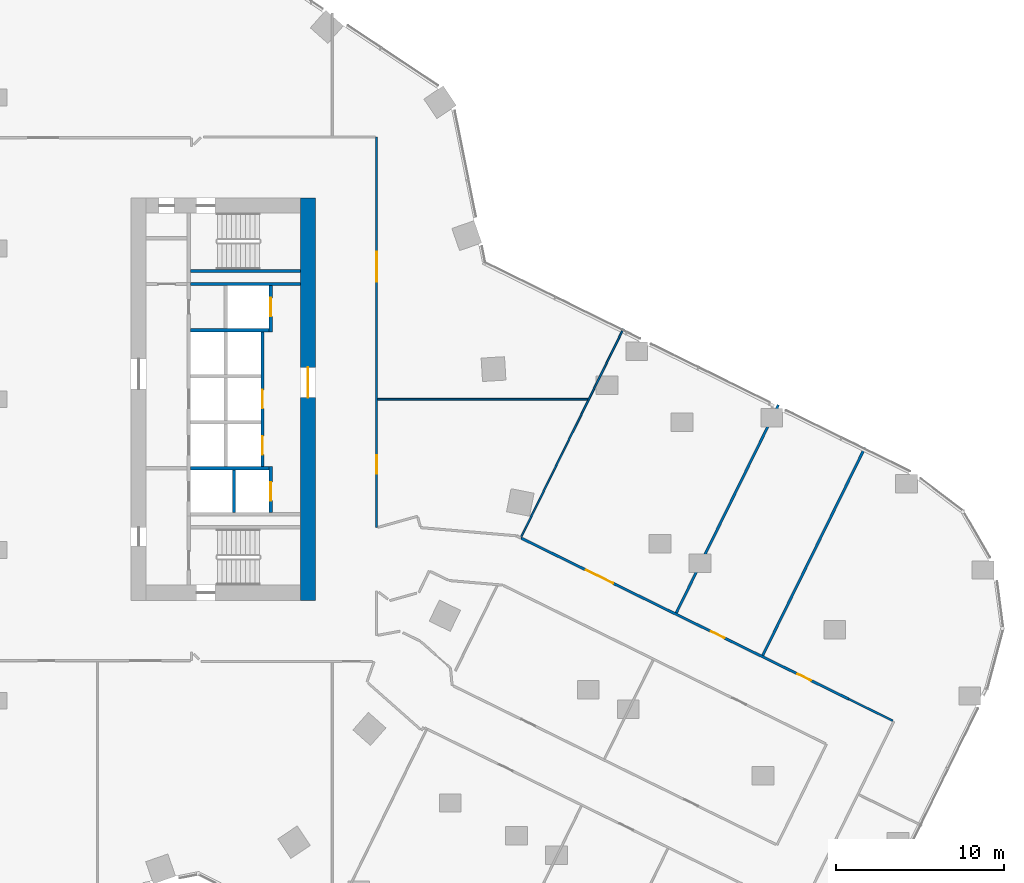
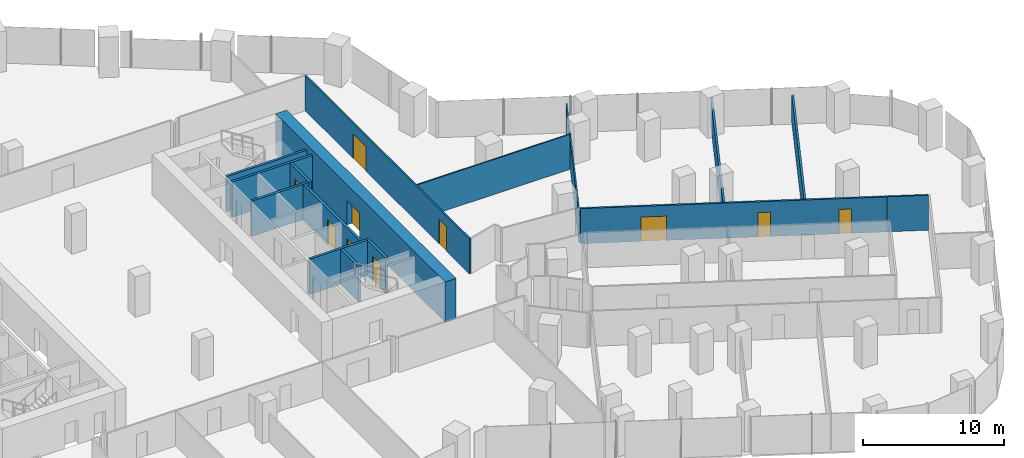
# One storey, part 31 of 38: 16 walls, 10 doors, 10 openings.
"""IFC4 building model written with IfcOpenShell, lengths in metres."""

from ifc_helpers import new_model, si_unit, direction, frame, frame_2d, origin, place, context, subcontext, project, spatial, rectangle, extrude, material, layer, layer_set, type_object, element, fill, save


model = new_model("IFC4")

# Units and contexts
model_context = context("Model", 3, precision=1e-05, world=origin(), true_north=direction((0.0, 1.0)))
body_context = subcontext(model_context, "Body", "Model", "MODEL_VIEW")
ifc_project = project(units=[si_unit("LENGTHUNIT", "METRE"), si_unit("AREAUNIT", "SQUARE_METRE"), si_unit("VOLUMEUNIT", "CUBIC_METRE"), si_unit("PLANEANGLEUNIT", "RADIAN"), si_unit("MASSUNIT", "GRAM", prefix="KILO")], contexts=[model_context])

# Site, building, storey
site_placement = place(None, origin())
site = spatial("IfcSite", under=ifc_project, at=site_placement, CompositionType="ELEMENT")
building_placement = place(site_placement, origin())
building = spatial("IfcBuilding", under=site, at=building_placement, Name="Orlundy Tower", CompositionType="ELEMENT")
storey_placement = place(building_placement, frame((0.0, 0.0, 72.800048828125)))
storey = spatial("IfcBuildingStorey", under=building, at=storey_placement, Name="L17", CompositionType="ELEMENT", Elevation=72.800048828125)

# Wall, opening, door
ifc_material_1 = material(Name="Concrete C80/95", Category="concrete")
ifc_layer_1 = layer(ifc_material_1, 0.89990234375)
ifc_layer_set_1 = layer_set([ifc_layer_1], Name="CORE WALL 900 C80/95")
wall_type_1 = type_object("IfcWallType", Name="CORE WALL 900 C80/95", PredefinedType="SHEAR", material=ifc_layer_set_1)
wall_1_placement = place(storey_placement, frame((18.550048828125, -12.0, 0.0), z_axis=(0.0, 0.0, 1.0), x_axis=(0.0, 1.0, 0.0)))
wall_1 = element("IfcWall", 1, at=wall_1_placement, inside=storey, type_object=wall_type_1, Name="Core wall E-E L17", PredefinedType="SHEAR", context=body_context, shape_type="SweptSolid", body=[
    extrude(rectangle(XDim=24.0, YDim=0.89990234375, at=frame_2d((12.0, 0.0))), origin(), (0.0, 0.0, 1.0), 3.5),
])
opening_1_placement = place(wall_1_placement, frame((12.10009765625, 0.0, 0.0)))
opening_1 = element("IfcOpeningElement", 2, at=opening_1_placement, cuts=wall_1, Name="Opening 14059", PredefinedType="OPENING", context=body_context, shape_type="SweptSolid", body=[
    extrude(rectangle(XDim=1.800048828125, YDim=2.10009765625, at=frame_2d((0.89990234375, 1.050048828125))), frame((0.0, 0.4599609375, 0.0), z_axis=(0.0, -1.0, 0.0), x_axis=(1.0, 0.0, 0.0)), (0.0, 0.0, 1.0), 0.919921875),
])
ifc_material_2 = material(Name="Timber door set", Category="wood")
door_type_1 = type_object("IfcDoorType", Name="Lobby Door 1800x2100", OperationType="DOUBLE_DOOR_DOUBLE_SWING", PredefinedType="DOOR", material=ifc_material_2)
door_1_placement = place(opening_1_placement, origin())
door_1 = element("IfcDoor", 3, at=door_1_placement, inside=storey, type_object=door_type_1, Name="Lift lobby door 14059", OperationType="SINGLE_SWING_RIGHT", OverallHeight=2.10009765625, OverallWidth=1.800048828125, PredefinedType="DOOR", context=body_context, shape_type="SweptSolid", body=[
    extrude(rectangle(XDim=1.800048828125, YDim=2.10009765625, at=frame_2d((0.89990234375, 1.050048828125))), frame((0.0, 0.02490234375, 0.0), z_axis=(0.0, -1.0, 0.0), x_axis=(1.0, 0.0, 0.0)), (0.0, 0.0, 1.0), 0.050048828125),
])
fill(opening_1, door_1)

# Walls
ifc_material_3 = material(Name="Gypsum board partition")
ifc_layer_2 = layer(ifc_material_3, 0.10009765625)
ifc_layer_set_2 = layer_set([ifc_layer_2], Name="Floor partition 100")
wall_type_2 = type_object("IfcWallType", Name="Floor partition 100", PredefinedType="PARTITIONING", material=ifc_layer_set_2)
wall_2_placement = place(storey_placement, frame((22.712890625, 0.0, 0.0), z_axis=(0.0, 0.0, 1.0), x_axis=(1.0, 0.0, 0.0)))
element("IfcWall", 4, at=wall_2_placement, inside=storey, type_object=wall_type_2, Name="wall-int-L17-051", PredefinedType="PARTITIONING", context=body_context, shape_type="SweptSolid", body=[
    extrude(rectangle(XDim=12.51904296875, YDim=0.10009765625, at=frame_2d((6.259521484375, 0.0))), origin(), (0.0, 0.0, 1.0), 3.030029296875),
])
ifc_material_4 = material(Name="Gypsum board partition")
ifc_layer_3 = layer(ifc_material_4, 0.10009765625)
ifc_layer_set_3 = layer_set([ifc_layer_3], Name="Floor partition 100 B")
wall_type_3 = type_object("IfcWallType", Name="Floor partition 100 B", PredefinedType="PARTITIONING", material=ifc_layer_set_3)
wall_3_placement = place(storey_placement, frame((31.24609375, -8.27587890625, 0.0), z_axis=(0.0, 0.0, 1.0), x_axis=(0.440984317846, 0.897514808465, 0.0)))
element("IfcWall", 5, at=wall_3_placement, inside=storey, type_object=wall_type_3, Name="wall-int-L17-079", PredefinedType="PARTITIONING", context=body_context, shape_type="SweptSolid", body=[
    extrude(rectangle(XDim=13.898193359375, YDim=0.10009765625, at=frame_2d((6.94921875, 0.0))), origin(), (0.0, 0.0, 1.0), 2.4189453125),
])
ifc_material_5 = material(Name="Gypsum board partition, double layer")
ifc_layer_4 = layer(ifc_material_5, 0.125)
ifc_layer_set_4 = layer_set([ifc_layer_4], Name="Floor partition 125")
wall_type_4 = type_object("IfcWallType", Name="Floor partition 125", PredefinedType="PARTITIONING", material=ifc_layer_set_4)
wall_4_placement = place(storey_placement, frame((53.4541015625, -19.18798828125, 0.0), z_axis=(0.0, 0.0, 1.0), x_axis=(-0.8975474006, 0.4409179784, 0.0)))
element("IfcWall", 6, at=wall_4_placement, inside=storey, type_object=wall_type_4, Name="wall-int-L17-033", PredefinedType="PARTITIONING", context=body_context, shape_type="SweptSolid", body=[
    extrude(rectangle(XDim=2.936767578125, YDim=0.125, at=frame_2d((1.46826171875, 0.0))), origin(), (0.0, 0.0, 1.0), 3.030029296875),
])

# Wall, openings, doors
wall_5_placement = place(storey_placement, frame((22.65087890625, 15.64990234375, 0.0), z_axis=(0.0, 0.0, 1.0), x_axis=(0.0, -1.0, 0.0)))
wall_5 = element("IfcWall", 7, at=wall_5_placement, inside=storey, type_object=wall_type_4, Name="wall-int-L17-092", PredefinedType="PARTITIONING", context=body_context, shape_type="SweptSolid", body=[
    extrude(rectangle(XDim=23.31884765625, YDim=0.125, at=frame_2d((11.659423828125, 0.0))), origin(), (0.0, 0.0, 1.0), 3.030029296875),
])
opening_2_placement = place(wall_5_placement, frame((19.0, 0.0, 0.0)))
opening_2 = element("IfcOpeningElement", 8, at=opening_2_placement, cuts=wall_5, Name="Opening 14131", PredefinedType="OPENING", context=body_context, shape_type="SweptSolid", body=[
    extrude(rectangle(XDim=1.10009765625, YDim=2.10009765625, at=frame_2d((0.550048828125, 1.050048828125))), frame((0.0, 0.072509765625, 0.0), z_axis=(0.0, -1.0, 0.0), x_axis=(1.0, 0.0, 0.0)), (0.0, 0.0, 1.0), 0.14501953125),
])
opening_3_placement = place(wall_5_placement, frame((6.85009765625, 0.0, 0.0)))
opening_3 = element("IfcOpeningElement", 9, at=opening_3_placement, cuts=wall_5, Name="Opening 14132", PredefinedType="OPENING", context=body_context, shape_type="SweptSolid", body=[
    extrude(rectangle(XDim=1.800048828125, YDim=2.10009765625, at=frame_2d((0.89990234375, 1.050048828125))), frame((0.0, 0.072509765625, 0.0), z_axis=(0.0, -1.0, 0.0), x_axis=(1.0, 0.0, 0.0)), (0.0, 0.0, 1.0), 0.14501953125),
])
ifc_material_6 = material(Name="Timber door leaf", Category="wood")
door_type_2 = type_object("IfcDoorType", Name="Floor door double 1800 FD30S", OperationType="NOTDEFINED", PredefinedType="DOOR", material=ifc_material_6)
door_2_placement = place(opening_3_placement, origin())
door_2 = element("IfcDoor", 10, at=door_2_placement, inside=storey, type_object=door_type_2, Name="Door 14132", OperationType="DOUBLE_DOOR_SINGLE_SWING", OverallHeight=2.10009765625, OverallWidth=1.800048828125, PredefinedType="DOOR", context=body_context, shape_type="SweptSolid", body=[
    extrude(rectangle(XDim=1.800048828125, YDim=2.10009765625, at=frame_2d((0.89990234375, 1.050048828125))), frame((0.0, 0.02490234375, 0.0), z_axis=(0.0, -1.0, 0.0), x_axis=(1.0, 0.0, 0.0)), (0.0, 0.0, 1.0), 0.050048828125),
])
fill(opening_3, door_2)
ifc_material_7 = material(Name="Timber door leaf", Category="wood")
door_type_3 = type_object("IfcDoorType", Name="Floor door xwide 1100 FD30S", OperationType="NOTDEFINED", PredefinedType="DOOR", material=ifc_material_7)
door_3_placement = place(opening_2_placement, origin())
door_3 = element("IfcDoor", 11, at=door_3_placement, inside=storey, type_object=door_type_3, Name="Door 14131", OperationType="SINGLE_SWING_RIGHT", OverallHeight=2.10009765625, OverallWidth=1.10009765625, PredefinedType="DOOR", context=body_context, shape_type="SweptSolid", body=[
    extrude(rectangle(XDim=1.10009765625, YDim=2.10009765625, at=frame_2d((0.550048828125, 1.050048828125))), frame((0.0, 0.02490234375, 0.0), z_axis=(0.0, -1.0, 0.0), x_axis=(1.0, 0.0, 0.0)), (0.0, 0.0, 1.0), 0.050048828125),
])
fill(opening_2, door_3)

# Walls
ifc_material_8 = material(Name="Blockwork shaft wall", Category="masonry")
ifc_layer_5 = layer(ifc_material_8, 0.14990234375)
ifc_layer_set_5 = layer_set([ifc_layer_5], Name="Floor shaft wall 150")
wall_type_5 = type_object("IfcWallType", Name="Floor shaft wall 150", PredefinedType="PARTITIONING", material=ifc_layer_set_5)
wall_6_placement = place(storey_placement, frame((45.68994140625, -15.2900390625, 0.0), z_axis=(0.0, 0.0, 1.0), x_axis=(0.441022179243, 0.89749620468, 0.0)))
element("IfcWall", 12, at=wall_6_placement, inside=storey, type_object=wall_type_5, Name="wall-int-L17-073", PredefinedType="PARTITIONING", context=body_context, shape_type="SweptSolid", body=[
    extrude(rectangle(XDim=13.8251953125, YDim=0.14990234375, at=frame_2d((6.91259765625, 0.0))), origin(), (0.0, 0.0, 1.0), 2.39501953125),
])
wall_7_placement = place(storey_placement, frame((40.529052734375, -12.75390625, 0.0), z_axis=(0.0, 0.0, 1.0), x_axis=(0.441035914892, 0.897489454966, 0.0)))
element("IfcWall", 13, at=wall_7_placement, inside=storey, type_object=wall_type_5, Name="wall-int-L17-076", PredefinedType="PARTITIONING", context=body_context, shape_type="SweptSolid", body=[
    extrude(rectangle(XDim=13.82421875, YDim=0.14990234375, at=frame_2d((6.912109375, 0.0))), origin(), (0.0, 0.0, 1.0), 2.39501953125),
])

# Wall, openings, doors
ifc_material_9 = material(Name="Blockwork shaft wall", Category="masonry")
ifc_layer_6 = layer(ifc_material_9, 0.14990234375)
ifc_layer_set_6 = layer_set([ifc_layer_6], Name="Floor shaft wall 150 B")
wall_type_6 = type_object("IfcWallType", Name="Floor shaft wall 150 B", PredefinedType="PARTITIONING", material=ifc_layer_set_6)
wall_8_placement = place(storey_placement, frame((31.291015625, -8.298095703125, 0.0), z_axis=(0.0, 0.0, 1.0), x_axis=(0.897505006542, -0.441004266683, 0.0)))
wall_8 = element("IfcWall", 14, at=wall_8_placement, inside=storey, type_object=wall_type_6, Name="wall-int-L17-032", PredefinedType="PARTITIONING", context=body_context, shape_type="SweptSolid", body=[
    extrude(rectangle(XDim=21.757080078125, YDim=0.14990234375, at=frame_2d((10.87841796875, 0.0))), origin(), (0.0, 0.0, 1.0), 3.030029296875),
])
opening_4_placement = place(wall_8_placement, frame((4.300048828125, 0.0, 0.0)))
opening_4 = element("IfcOpeningElement", 15, at=opening_4_placement, cuts=wall_8, Name="Opening 14100", PredefinedType="OPENING", context=body_context, shape_type="SweptSolid", body=[
    extrude(rectangle(XDim=1.800048828125, YDim=2.10009765625, at=frame_2d((0.89990234375, 1.050048828125))), frame((0.0, 0.0849609375, 0.0), z_axis=(0.0, -1.0, 0.0), x_axis=(1.0, 0.0, 0.0)), (0.0, 0.0, 1.0), 0.169921875),
])
opening_5_placement = place(wall_8_placement, frame((12.606201171875, 0.0, 0.0)))
opening_5 = element("IfcOpeningElement", 16, at=opening_5_placement, cuts=wall_8, Name="Opening 14103", PredefinedType="OPENING", context=body_context, shape_type="SweptSolid", body=[
    extrude(rectangle(XDim=0.89990234375, YDim=2.10009765625, at=frame_2d((0.449951171875, 1.050048828125))), frame((0.0, 0.0849609375, 0.0), z_axis=(0.0, -1.0, 0.0), x_axis=(1.0, 0.0, 0.0)), (0.0, 0.0, 1.0), 0.169921875),
])
opening_6_placement = place(wall_8_placement, frame((18.356689453125, 0.0, 0.0)))
opening_6 = element("IfcOpeningElement", 17, at=opening_6_placement, cuts=wall_8, Name="Opening 14106", PredefinedType="OPENING", context=body_context, shape_type="SweptSolid", body=[
    extrude(rectangle(XDim=0.89990234375, YDim=2.10009765625, at=frame_2d((0.449951171875, 1.050048828125))), frame((0.0, 0.0849609375, 0.0), z_axis=(0.0, -1.0, 0.0), x_axis=(1.0, 0.0, 0.0)), (0.0, 0.0, 1.0), 0.169921875),
])
ifc_material_10 = material(Name="Timber door leaf", Category="wood")
door_type_4 = type_object("IfcDoorType", Name="Floor door double 1800 FD60", OperationType="NOTDEFINED", PredefinedType="DOOR", material=ifc_material_10)
door_4_placement = place(opening_4_placement, origin())
door_4 = element("IfcDoor", 18, at=door_4_placement, inside=storey, type_object=door_type_4, Name="Door 14100", OperationType="DOUBLE_DOOR_SINGLE_SWING", OverallHeight=2.10009765625, OverallWidth=1.800048828125, PredefinedType="DOOR", context=body_context, shape_type="SweptSolid", body=[
    extrude(rectangle(XDim=1.800048828125, YDim=2.10009765625, at=frame_2d((0.89990234375, 1.050048828125))), frame((0.0, 0.02490234375, 0.0), z_axis=(0.0, -1.0, 0.0), x_axis=(1.0, 0.0, 0.0)), (0.0, 0.0, 1.0), 0.050048828125),
])
fill(opening_4, door_4)
ifc_material_11 = material(Name="Timber door leaf", Category="wood")
door_type_5 = type_object("IfcDoorType", Name="Floor door single 900 FD60", OperationType="NOTDEFINED", PredefinedType="DOOR", material=ifc_material_11)
door_5_placement = place(opening_5_placement, origin())
door_5 = element("IfcDoor", 19, at=door_5_placement, inside=storey, type_object=door_type_5, Name="Door 14103", OperationType="SINGLE_SWING_RIGHT", OverallHeight=2.10009765625, OverallWidth=0.89990234375, PredefinedType="DOOR", context=body_context, shape_type="SweptSolid", body=[
    extrude(rectangle(XDim=0.89990234375, YDim=2.10009765625, at=frame_2d((0.449951171875, 1.050048828125))), frame((0.0, 0.02490234375, 0.0), z_axis=(0.0, -1.0, 0.0), x_axis=(1.0, 0.0, 0.0)), (0.0, 0.0, 1.0), 0.050048828125),
])
fill(opening_5, door_5)
door_6_placement = place(opening_6_placement, origin())
door_6 = element("IfcDoor", 20, at=door_6_placement, inside=storey, type_object=door_type_5, Name="Door 14106", OperationType="SINGLE_SWING_RIGHT", OverallHeight=2.10009765625, OverallWidth=0.89990234375, PredefinedType="DOOR", context=body_context, shape_type="SweptSolid", body=[
    extrude(rectangle(XDim=0.89990234375, YDim=2.10009765625, at=frame_2d((0.449951171875, 1.050048828125))), frame((0.0, 0.02490234375, 0.0), z_axis=(0.0, -1.0, 0.0), x_axis=(1.0, 0.0, 0.0)), (0.0, 0.0, 1.0), 0.050048828125),
])
fill(opening_6, door_6)

# Walls
ifc_material_12 = material(Name="Concrete C40/50", Category="concrete")
ifc_layer_7 = layer(ifc_material_12, 0.199951171875)
ifc_layer_set_7 = layer_set([ifc_layer_7], Name="Load-bearing Shaft Wall 200")
wall_type_7 = type_object("IfcWallType", Name="Load-bearing Shaft Wall 200", PredefinedType="SOLIDWALL", material=ifc_layer_set_7)
wall_9_placement = place(storey_placement, frame((11.5400390625, 7.64990234375, 0.0), z_axis=(0.0, 0.0, 1.0), x_axis=(1.0, 0.0, 0.0)))
element("IfcWall", 21, at=wall_9_placement, inside=storey, type_object=wall_type_7, Name="Shaft wall E14-stair-side-s", PredefinedType="SOLIDWALL", context=body_context, shape_type="SweptSolid", body=[
    extrude(rectangle(XDim=6.56005859375, YDim=0.199951171875, at=frame_2d((3.280029296875, 0.0))), origin(), (0.0, 0.0, 1.0), 3.050048828125),
])
ifc_material_13 = material(Name="Fire-rated blockwork shaft wall", Category="masonry")
ifc_layer_8 = layer(ifc_material_13, 0.199951171875)
ifc_layer_set_8 = layer_set([ifc_layer_8], Name="Shaft Wall 200")
wall_type_8 = type_object("IfcWallType", Name="Shaft Wall 200", PredefinedType="SOLIDWALL", material=ifc_layer_set_8)
wall_10_placement = place(storey_placement, frame((11.5400390625, 6.875, 0.0), z_axis=(0.0, 0.0, 1.0), x_axis=(1.0, 0.0, 0.0)))
element("IfcWall", 22, at=wall_10_placement, inside=storey, type_object=wall_type_8, Name="Shaft wall E14-zone-s", PredefinedType="SOLIDWALL", context=body_context, shape_type="SweptSolid", body=[
    extrude(rectangle(XDim=6.56005859375, YDim=0.199951171875, at=frame_2d((3.280029296875, 0.0))), origin(), (0.0, 0.0, 1.0), 3.050048828125),
])
for number, where, z_axis, x_axis, name in (
    (23, (11.5400390625, 4.125, 0.0), (0.0, 0.0, 1.0), (1.0, 0.0, 0.0), "Shaft wall E14-cross-4.125"),
    (24, (11.5400390625, -4.125, 0.0), (0.0, 0.0, 1.0), (1.0, 0.0, 0.0), "Shaft wall E14-cross+4.125"),
):
    element("IfcWall", number, at=place(storey_placement, frame(where, z_axis=z_axis, x_axis=x_axis)), inside=storey, type_object=wall_type_8, Name=name, PredefinedType="SOLIDWALL", context=body_context, shape_type="SweptSolid", body=[
        extrude(rectangle(XDim=4.699951171875, YDim=0.199951171875, at=frame_2d((2.35009765625, 0.0))), origin(), (0.0, 0.0, 1.0), 3.050048828125),
    ])
wall_11_placement = place(storey_placement, frame((14.139892578125, -4.22509765625, 0.0), z_axis=(0.0, 0.0, 1.0), x_axis=(0.0, -1.0, 0.0)))
element("IfcWall", 25, at=wall_11_placement, inside=storey, type_object=wall_type_8, Name="Shaft wall E14-mid-b", PredefinedType="SOLIDWALL", context=body_context, shape_type="SweptSolid", body=[
    extrude(rectangle(XDim=2.5498046875, YDim=0.199951171875, at=frame_2d((1.27490234375, 0.0))), origin(), (0.0, 0.0, 1.0), 3.050048828125),
])

# Wall, opening, door
wall_12_placement = place(storey_placement, frame((16.340087890625, 6.77490234375, 0.0), z_axis=(0.0, 0.0, 1.0), x_axis=(0.0, -1.0, 0.0)))
wall_12 = element("IfcWall", 26, at=wall_12_placement, inside=storey, type_object=wall_type_8, Name="Shaft wall E14-front-o-a", PredefinedType="SOLIDWALL", context=body_context, shape_type="SweptSolid", body=[
    extrude(rectangle(XDim=2.75, YDim=0.199951171875, at=frame_2d((1.375, 0.0))), origin(), (0.0, 0.0, 1.0), 3.050048828125),
])
opening_7_placement = place(wall_12_placement, frame((0.72509765625, 0.0, 0.0)))
opening_7 = element("IfcOpeningElement", 27, at=opening_7_placement, cuts=wall_12, Name="Opening 14050", PredefinedType="OPENING", context=body_context, shape_type="SweptSolid", body=[
    extrude(rectangle(XDim=1.10009765625, YDim=2.10009765625, at=frame_2d((0.550048828125, 1.050048828125))), frame((0.0, 0.110107421875, 0.0), z_axis=(0.0, -1.0, 0.0), x_axis=(1.0, 0.0, 0.0)), (0.0, 0.0, 1.0), 0.22021484375),
])
ifc_material_14 = material(Name="Steel door set", Category="steel")
door_type_6 = type_object("IfcDoorType", Name="Landing Door 1100x2100", OperationType="DOUBLE_DOOR_SLIDING", PredefinedType="DOOR", material=ifc_material_14)
door_7_placement = place(opening_7_placement, origin())
door_7 = element("IfcDoor", 28, at=door_7_placement, inside=storey, type_object=door_type_6, Name="Lift landing door LV-02 14050", OperationType="DOUBLE_DOOR_SLIDING", OverallHeight=2.10009765625, OverallWidth=1.10009765625, PredefinedType="DOOR", context=body_context, shape_type="SweptSolid", body=[
    extrude(rectangle(XDim=1.10009765625, YDim=2.10009765625, at=frame_2d((0.550048828125, 1.050048828125))), frame((0.0, 0.02490234375, 0.0), z_axis=(0.0, -1.0, 0.0), x_axis=(1.0, 0.0, 0.0)), (0.0, 0.0, 1.0), 0.050048828125),
])
fill(opening_7, door_7)

# Wall, openings, doors
wall_13_placement = place(storey_placement, frame((15.840087890625, 4.02490234375, 0.0), z_axis=(0.0, 0.0, 1.0), x_axis=(0.0, -1.0, 0.0)))
wall_13 = element("IfcWall", 29, at=wall_13_placement, inside=storey, type_object=wall_type_8, Name="Shaft wall E14-front-o-b", PredefinedType="SOLIDWALL", context=body_context, shape_type="SweptSolid", body=[
    extrude(rectangle(XDim=8.0498046875, YDim=0.199951171875, at=frame_2d((4.02490234375, 0.0))), origin(), (0.0, 0.0, 1.0), 3.050048828125),
])
opening_8_placement = place(wall_13_placement, frame((3.47509765625, 0.0, 0.0)))
opening_8 = element("IfcOpeningElement", 30, at=opening_8_placement, cuts=wall_13, Name="Opening 14052", PredefinedType="OPENING", context=body_context, shape_type="SweptSolid", body=[
    extrude(rectangle(XDim=1.10009765625, YDim=2.10009765625, at=frame_2d((0.550048828125, 1.050048828125))), frame((0.0, 0.110107421875, 0.0), z_axis=(0.0, -1.0, 0.0), x_axis=(1.0, 0.0, 0.0)), (0.0, 0.0, 1.0), 0.22021484375),
])
opening_9_placement = place(wall_13_placement, frame((6.22509765625, 0.0, 0.0)))
opening_9 = element("IfcOpeningElement", 31, at=opening_9_placement, cuts=wall_13, Name="Opening 14054", PredefinedType="OPENING", context=body_context, shape_type="SweptSolid", body=[
    extrude(rectangle(XDim=1.10009765625, YDim=2.10009765625, at=frame_2d((0.550048828125, 1.050048828125))), frame((0.0, 0.110107421875, 0.0), z_axis=(0.0, -1.0, 0.0), x_axis=(1.0, 0.0, 0.0)), (0.0, 0.0, 1.0), 0.22021484375),
])
door_8_placement = place(opening_8_placement, origin())
door_8 = element("IfcDoor", 32, at=door_8_placement, inside=storey, type_object=door_type_6, Name="Lift landing door LP-06 14052", OperationType="DOUBLE_DOOR_SLIDING", OverallHeight=2.10009765625, OverallWidth=1.10009765625, PredefinedType="DOOR", context=body_context, shape_type="SweptSolid", body=[
    extrude(rectangle(XDim=1.10009765625, YDim=2.10009765625, at=frame_2d((0.550048828125, 1.050048828125))), frame((0.0, 0.02490234375, 0.0), z_axis=(0.0, -1.0, 0.0), x_axis=(1.0, 0.0, 0.0)), (0.0, 0.0, 1.0), 0.050048828125),
])
fill(opening_8, door_8)
door_9_placement = place(opening_9_placement, origin())
door_9 = element("IfcDoor", 33, at=door_9_placement, inside=storey, type_object=door_type_6, Name="Lift landing door LP-08 14054", OperationType="DOUBLE_DOOR_SLIDING", OverallHeight=2.10009765625, OverallWidth=1.10009765625, PredefinedType="DOOR", context=body_context, shape_type="SweptSolid", body=[
    extrude(rectangle(XDim=1.10009765625, YDim=2.10009765625, at=frame_2d((0.550048828125, 1.050048828125))), frame((0.0, 0.02490234375, 0.0), z_axis=(0.0, -1.0, 0.0), x_axis=(1.0, 0.0, 0.0)), (0.0, 0.0, 1.0), 0.050048828125),
])
fill(opening_9, door_9)

# Wall, opening, door
wall_14_placement = place(storey_placement, frame((16.340087890625, -4.02490234375, 0.0), z_axis=(0.0, 0.0, 1.0), x_axis=(0.0, -1.0, 0.0)))
wall_14 = element("IfcWall", 34, at=wall_14_placement, inside=storey, type_object=wall_type_8, Name="Shaft wall E14-front-o-c", PredefinedType="SOLIDWALL", context=body_context, shape_type="SweptSolid", body=[
    extrude(rectangle(XDim=2.75, YDim=0.199951171875, at=frame_2d((1.375, 0.0))), origin(), (0.0, 0.0, 1.0), 3.050048828125),
])
opening_10_placement = place(wall_14_placement, frame((0.925048828125, 0.0, 0.0)))
opening_10 = element("IfcOpeningElement", 35, at=opening_10_placement, cuts=wall_14, Name="Opening 14056", PredefinedType="OPENING", context=body_context, shape_type="SweptSolid", body=[
    extrude(rectangle(XDim=1.10009765625, YDim=2.10009765625, at=frame_2d((0.550048828125, 1.050048828125))), frame((0.0, 0.110107421875, 0.0), z_axis=(0.0, -1.0, 0.0), x_axis=(1.0, 0.0, 0.0)), (0.0, 0.0, 1.0), 0.22021484375),
])
door_10_placement = place(opening_10_placement, origin())
door_10 = element("IfcDoor", 36, at=door_10_placement, inside=storey, type_object=door_type_6, Name="Lift landing door LP-09 14056", OperationType="DOUBLE_DOOR_SLIDING", OverallHeight=2.10009765625, OverallWidth=1.10009765625, PredefinedType="DOOR", context=body_context, shape_type="SweptSolid", body=[
    extrude(rectangle(XDim=1.10009765625, YDim=2.10009765625, at=frame_2d((0.550048828125, 1.050048828125))), frame((0.0, 0.02490234375, 0.0), z_axis=(0.0, -1.0, 0.0), x_axis=(1.0, 0.0, 0.0)), (0.0, 0.0, 1.0), 0.050048828125),
])
fill(opening_10, door_10)

save(model, "model.ifc")
